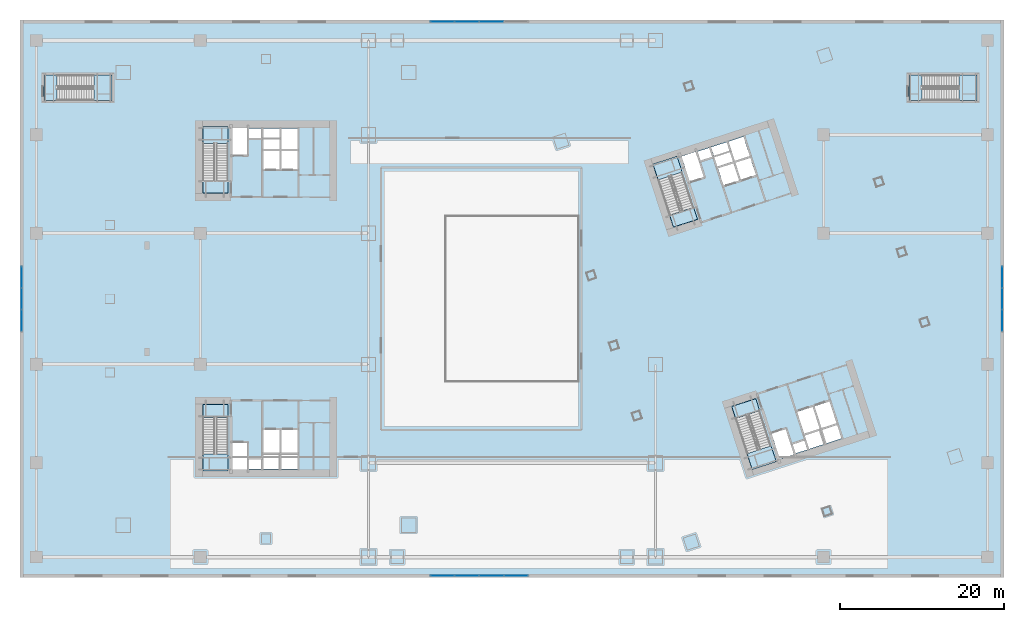
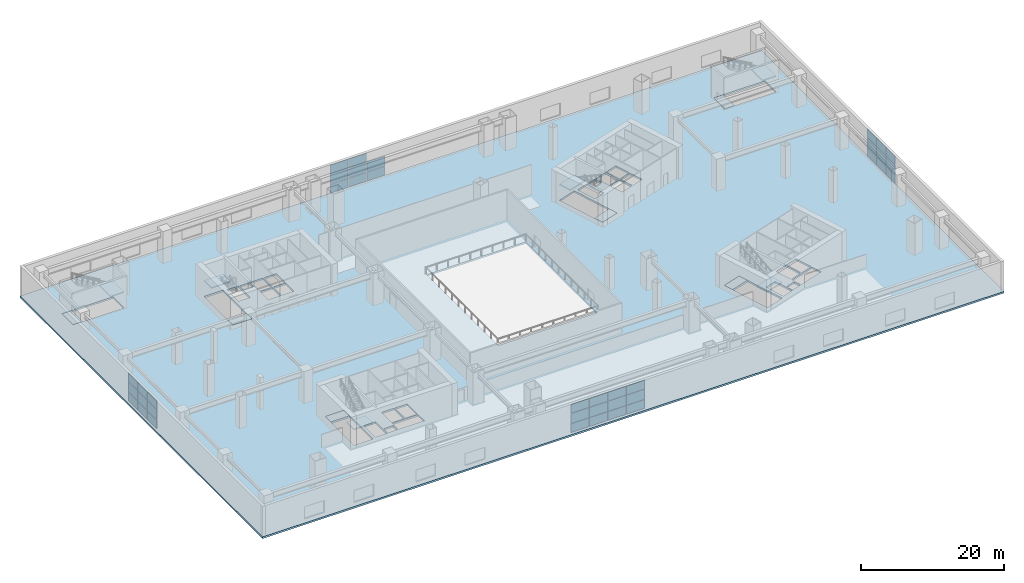
# One storey, part 21 of 35: 38 plates, 13 slabs, 10 elements without a shape of their own.
"""IFC4 building model written with IfcOpenShell, lengths in metres."""

from ifc_helpers import new_model, si_unit, direction, frame, origin, origin_2d, place, context, subcontext, project, spatial, polyline, rectangle, outline, extrude, material, layer, layer_set, type_object, element, aggregate, save


model = new_model("IFC4")

# Units and contexts
model_context = context("Model", 3, precision=1e-05, world=origin(), true_north=direction((0.0, 1.0)))
body_context = subcontext(model_context, "Body", "Model", "MODEL_VIEW")
ifc_project = project(units=[si_unit("LENGTHUNIT", "METRE"), si_unit("AREAUNIT", "SQUARE_METRE"), si_unit("VOLUMEUNIT", "CUBIC_METRE"), si_unit("PLANEANGLEUNIT", "RADIAN"), si_unit("MASSUNIT", "GRAM", prefix="KILO")], contexts=[model_context])

# Site, building, storey
site_placement = place(None, origin())
site = spatial("IfcSite", under=ifc_project, at=site_placement, CompositionType="ELEMENT")
building_placement = place(site_placement, origin())
building = spatial("IfcBuilding", under=site, at=building_placement, Name="Qiaolan Cultural Towers", CompositionType="ELEMENT")
storey_placement = place(building_placement, frame((0.0, 0.0, 6.0)))
storey = spatial("IfcBuildingStorey", under=building, at=storey_placement, Name="L01", CompositionType="ELEMENT", Elevation=6.0)

# Curtain wall, plates
ifc_material_1 = material(Name="Unitized Anodized Aluminium Curtain Wall System", Category="aluminium")
ifc_layer_1 = layer(ifc_material_1, 0.199951171875)
ifc_layer_set_1 = layer_set([ifc_layer_1], Name="Unitized Anodized Aluminium Curtain Wall System")
curtain_wall_type_1 = type_object("IfcCurtainWallType", Name="CWS-01", PredefinedType="NOTDEFINED", material=ifc_layer_set_1)
curtain_wall_1_placement = place(storey_placement, origin())
curtain_wall_1 = element("IfcCurtainWall", 1, at=curtain_wall_1_placement, inside=storey, type_object=curtain_wall_type_1, Name="L01 South Atrium Curtain Wall", PredefinedType="NOTDEFINED")
ifc_material_2 = material(Name="Laminated Low-E Insulating Glass Unit", Category="glass")
ifc_layer_2 = layer(ifc_material_2, 0.035888671875)
ifc_layer_set_2 = layer_set([ifc_layer_2], Name="Laminated Low-E Insulating Glass Unit")
plate_type_1 = type_object("IfcPlateType", Name="CWS-01-PNL", PredefinedType="CURTAIN_PANEL", material=ifc_layer_set_2)
plate_1_placement = place(storey_placement, frame((51.518798828125, 0.219970703125, 0.21484375), z_axis=(0.0, 0.0, 1.0), x_axis=(1.0, 0.0, 0.0)))
plate_1 = element("IfcPlate", 2, at=plate_1_placement, type_object=plate_type_1, Name="CW-1 panel 1.1", PredefinedType="CURTAIN_PANEL", context=body_context, shape_type="SweptSolid", body=[
    extrude(rectangle(XDim=2.887451171875, YDim=0.035888671875, at=origin_2d()), origin(), (0.0, 0.0, 1.0), 1.472412109375),
])
plate_2_placement = place(storey_placement, frame((51.518798828125, 0.219970703125, 1.75244140625), z_axis=(0.0, 0.0, 1.0), x_axis=(1.0, 0.0, 0.0)))
plate_2 = element("IfcPlate", 3, at=plate_2_placement, type_object=plate_type_1, Name="CW-1 panel 1.2", PredefinedType="CURTAIN_PANEL", context=body_context, shape_type="SweptSolid", body=[
    extrude(rectangle(XDim=2.887451171875, YDim=0.035888671875, at=origin_2d()), origin(), (0.0, 0.0, 1.0), 1.695068359375),
])
plate_3_placement = place(storey_placement, frame((51.518798828125, 0.219970703125, 3.5126953125), z_axis=(0.0, 0.0, 1.0), x_axis=(1.0, 0.0, 0.0)))
plate_3 = element("IfcPlate", 4, at=plate_3_placement, type_object=plate_type_1, Name="CW-1 panel 1.3", PredefinedType="CURTAIN_PANEL", context=body_context, shape_type="SweptSolid", body=[
    extrude(rectangle(XDim=2.887451171875, YDim=0.035888671875, at=origin_2d()), origin(), (0.0, 0.0, 1.0), 1.472412109375),
])
plate_4_placement = place(storey_placement, frame((54.5, 0.219970703125, 0.21484375), z_axis=(0.0, 0.0, 1.0), x_axis=(1.0, 0.0, 0.0)))
plate_4 = element("IfcPlate", 5, at=plate_4_placement, type_object=plate_type_1, Name="CW-1 panel 2.1", PredefinedType="CURTAIN_PANEL", context=body_context, shape_type="SweptSolid", body=[
    extrude(rectangle(XDim=2.925048828125, YDim=0.035888671875, at=origin_2d()), origin(), (0.0, 0.0, 1.0), 1.472412109375),
])
plate_5_placement = place(storey_placement, frame((54.5, 0.219970703125, 1.75244140625), z_axis=(0.0, 0.0, 1.0), x_axis=(1.0, 0.0, 0.0)))
plate_5 = element("IfcPlate", 6, at=plate_5_placement, type_object=plate_type_1, Name="CW-1 panel 2.2", PredefinedType="CURTAIN_PANEL", context=body_context, shape_type="SweptSolid", body=[
    extrude(rectangle(XDim=2.925048828125, YDim=0.035888671875, at=origin_2d()), origin(), (0.0, 0.0, 1.0), 1.695068359375),
])
plate_6_placement = place(storey_placement, frame((54.5, 0.219970703125, 3.5126953125), z_axis=(0.0, 0.0, 1.0), x_axis=(1.0, 0.0, 0.0)))
plate_6 = element("IfcPlate", 7, at=plate_6_placement, type_object=plate_type_1, Name="CW-1 panel 2.3", PredefinedType="CURTAIN_PANEL", context=body_context, shape_type="SweptSolid", body=[
    extrude(rectangle(XDim=2.925048828125, YDim=0.035888671875, at=origin_2d()), origin(), (0.0, 0.0, 1.0), 1.472412109375),
])
plate_7_placement = place(storey_placement, frame((57.5, 0.219970703125, 0.21484375), z_axis=(0.0, 0.0, 1.0), x_axis=(1.0, 0.0, 0.0)))
plate_7 = element("IfcPlate", 8, at=plate_7_placement, type_object=plate_type_1, Name="CW-1 panel 3.1", PredefinedType="CURTAIN_PANEL", context=body_context, shape_type="SweptSolid", body=[
    extrude(rectangle(XDim=2.925048828125, YDim=0.035888671875, at=origin_2d()), origin(), (0.0, 0.0, 1.0), 1.472412109375),
])
plate_8_placement = place(storey_placement, frame((57.5, 0.219970703125, 1.75244140625), z_axis=(0.0, 0.0, 1.0), x_axis=(1.0, 0.0, 0.0)))
plate_8 = element("IfcPlate", 9, at=plate_8_placement, type_object=plate_type_1, Name="CW-1 panel 3.2", PredefinedType="CURTAIN_PANEL", context=body_context, shape_type="SweptSolid", body=[
    extrude(rectangle(XDim=2.925048828125, YDim=0.035888671875, at=origin_2d()), origin(), (0.0, 0.0, 1.0), 1.695068359375),
])
plate_9_placement = place(storey_placement, frame((57.5, 0.219970703125, 3.5126953125), z_axis=(0.0, 0.0, 1.0), x_axis=(1.0, 0.0, 0.0)))
plate_9 = element("IfcPlate", 10, at=plate_9_placement, type_object=plate_type_1, Name="CW-1 panel 3.3", PredefinedType="CURTAIN_PANEL", context=body_context, shape_type="SweptSolid", body=[
    extrude(rectangle(XDim=2.925048828125, YDim=0.035888671875, at=origin_2d()), origin(), (0.0, 0.0, 1.0), 1.472412109375),
])
plate_10_placement = place(storey_placement, frame((60.481201171875, 0.219970703125, 0.21484375), z_axis=(0.0, 0.0, 1.0), x_axis=(1.0, 0.0, 0.0)))
plate_10 = element("IfcPlate", 11, at=plate_10_placement, type_object=plate_type_1, Name="CW-1 panel 4.1", PredefinedType="CURTAIN_PANEL", context=body_context, shape_type="SweptSolid", body=[
    extrude(rectangle(XDim=2.887451171875, YDim=0.035888671875, at=origin_2d()), origin(), (0.0, 0.0, 1.0), 1.472412109375),
])
plate_11_placement = place(storey_placement, frame((60.481201171875, 0.219970703125, 1.75244140625), z_axis=(0.0, 0.0, 1.0), x_axis=(1.0, 0.0, 0.0)))
plate_11 = element("IfcPlate", 12, at=plate_11_placement, type_object=plate_type_1, Name="CW-1 panel 4.2", PredefinedType="CURTAIN_PANEL", context=body_context, shape_type="SweptSolid", body=[
    extrude(rectangle(XDim=2.887451171875, YDim=0.035888671875, at=origin_2d()), origin(), (0.0, 0.0, 1.0), 1.695068359375),
])
plate_12_placement = place(storey_placement, frame((60.481201171875, 0.219970703125, 3.5126953125), z_axis=(0.0, 0.0, 1.0), x_axis=(1.0, 0.0, 0.0)))
plate_12 = element("IfcPlate", 13, at=plate_12_placement, type_object=plate_type_1, Name="CW-1 panel 4.3", PredefinedType="CURTAIN_PANEL", context=body_context, shape_type="SweptSolid", body=[
    extrude(rectangle(XDim=2.887451171875, YDim=0.035888671875, at=origin_2d()), origin(), (0.0, 0.0, 1.0), 1.472412109375),
])
aggregate(curtain_wall_1, [plate_1, plate_2, plate_3, plate_4, plate_5, plate_6, plate_7, plate_8, plate_9, plate_10, plate_11, plate_12])

curtain_wall_2_placement = place(storey_placement, origin())
curtain_wall_2 = element("IfcCurtainWall", 14, at=curtain_wall_2_placement, inside=storey, type_object=curtain_wall_type_1, Name="L01 North Atrium Curtain Wall", PredefinedType="NOTDEFINED")
plate_13_placement = place(storey_placement, frame((51.518798828125, 67.780029296875, 0.21484375), z_axis=(0.0, 0.0, 1.0), x_axis=(1.0, 0.0, 0.0)))
plate_13 = element("IfcPlate", 15, at=plate_13_placement, type_object=plate_type_1, Name="CW-1 panel 1.1", PredefinedType="CURTAIN_PANEL", context=body_context, shape_type="SweptSolid", body=[
    extrude(rectangle(XDim=2.887451171875, YDim=0.035888671875, at=origin_2d()), origin(), (0.0, 0.0, 1.0), 1.472412109375),
])
plate_14_placement = place(storey_placement, frame((51.518798828125, 67.780029296875, 1.75244140625), z_axis=(0.0, 0.0, 1.0), x_axis=(1.0, 0.0, 0.0)))
plate_14 = element("IfcPlate", 16, at=plate_14_placement, type_object=plate_type_1, Name="CW-1 panel 1.2", PredefinedType="CURTAIN_PANEL", context=body_context, shape_type="SweptSolid", body=[
    extrude(rectangle(XDim=2.887451171875, YDim=0.035888671875, at=origin_2d()), origin(), (0.0, 0.0, 1.0), 1.695068359375),
])
plate_15_placement = place(storey_placement, frame((51.518798828125, 67.780029296875, 3.5126953125), z_axis=(0.0, 0.0, 1.0), x_axis=(1.0, 0.0, 0.0)))
plate_15 = element("IfcPlate", 17, at=plate_15_placement, type_object=plate_type_1, Name="CW-1 panel 1.3", PredefinedType="CURTAIN_PANEL", context=body_context, shape_type="SweptSolid", body=[
    extrude(rectangle(XDim=2.887451171875, YDim=0.035888671875, at=origin_2d()), origin(), (0.0, 0.0, 1.0), 1.472412109375),
])
plate_16_placement = place(storey_placement, frame((54.5, 67.780029296875, 0.21484375), z_axis=(0.0, 0.0, 1.0), x_axis=(1.0, 0.0, 0.0)))
plate_16 = element("IfcPlate", 18, at=plate_16_placement, type_object=plate_type_1, Name="CW-1 panel 2.1", PredefinedType="CURTAIN_PANEL", context=body_context, shape_type="SweptSolid", body=[
    extrude(rectangle(XDim=2.925048828125, YDim=0.035888671875, at=origin_2d()), origin(), (0.0, 0.0, 1.0), 1.472412109375),
])
plate_17_placement = place(storey_placement, frame((54.5, 67.780029296875, 1.75244140625), z_axis=(0.0, 0.0, 1.0), x_axis=(1.0, 0.0, 0.0)))
plate_17 = element("IfcPlate", 19, at=plate_17_placement, type_object=plate_type_1, Name="CW-1 panel 2.2", PredefinedType="CURTAIN_PANEL", context=body_context, shape_type="SweptSolid", body=[
    extrude(rectangle(XDim=2.925048828125, YDim=0.035888671875, at=origin_2d()), origin(), (0.0, 0.0, 1.0), 1.695068359375),
])
plate_18_placement = place(storey_placement, frame((54.5, 67.780029296875, 3.5126953125), z_axis=(0.0, 0.0, 1.0), x_axis=(1.0, 0.0, 0.0)))
plate_18 = element("IfcPlate", 20, at=plate_18_placement, type_object=plate_type_1, Name="CW-1 panel 2.3", PredefinedType="CURTAIN_PANEL", context=body_context, shape_type="SweptSolid", body=[
    extrude(rectangle(XDim=2.925048828125, YDim=0.035888671875, at=origin_2d()), origin(), (0.0, 0.0, 1.0), 1.472412109375),
])
plate_19_placement = place(storey_placement, frame((57.5, 67.780029296875, 0.21484375), z_axis=(0.0, 0.0, 1.0), x_axis=(1.0, 0.0, 0.0)))
plate_19 = element("IfcPlate", 21, at=plate_19_placement, type_object=plate_type_1, Name="CW-1 panel 3.1", PredefinedType="CURTAIN_PANEL", context=body_context, shape_type="SweptSolid", body=[
    extrude(rectangle(XDim=2.925048828125, YDim=0.035888671875, at=origin_2d()), origin(), (0.0, 0.0, 1.0), 1.472412109375),
])
plate_20_placement = place(storey_placement, frame((57.5, 67.780029296875, 1.75244140625), z_axis=(0.0, 0.0, 1.0), x_axis=(1.0, 0.0, 0.0)))
plate_20 = element("IfcPlate", 22, at=plate_20_placement, type_object=plate_type_1, Name="CW-1 panel 3.2", PredefinedType="CURTAIN_PANEL", context=body_context, shape_type="SweptSolid", body=[
    extrude(rectangle(XDim=2.925048828125, YDim=0.035888671875, at=origin_2d()), origin(), (0.0, 0.0, 1.0), 1.695068359375),
])
aggregate(curtain_wall_2, [plate_13, plate_14, plate_15, plate_16, plate_17, plate_18, plate_19, plate_20])

ifc_material_3 = material(Name="Unitized Anodized Aluminium Curtain Wall System", Category="aluminium")
ifc_layer_3 = layer(ifc_material_3, 0.199951171875)
ifc_layer_set_3 = layer_set([ifc_layer_3], Name="Unitized Anodized Aluminium Curtain Wall System")
curtain_wall_type_2 = type_object("IfcCurtainWallType", Name="CWS-04", PredefinedType="NOTDEFINED", material=ifc_layer_set_3)
curtain_wall_3_placement = place(storey_placement, origin())
curtain_wall_3 = element("IfcCurtainWall", 23, at=curtain_wall_3_placement, inside=storey, type_object=curtain_wall_type_2, Name="L01 West Exhibition Foyer Curtain Wall", PredefinedType="NOTDEFINED")
ifc_material_4 = material(Name="Laminated Low-E Insulating Glass Unit", Category="glass")
ifc_layer_4 = layer(ifc_material_4, 0.035888671875)
ifc_layer_set_4 = layer_set([ifc_layer_4], Name="Laminated Low-E Insulating Glass Unit")
plate_type_2 = type_object("IfcPlateType", Name="CWS-04-PNL", PredefinedType="CURTAIN_PANEL", material=ifc_layer_set_4)
plate_21_placement = place(storey_placement, frame((0.219970703125, 31.35205078125, 0.21484375), z_axis=(0.0, 0.0, 1.0), x_axis=(0.0, 1.0, 0.0)))
plate_21 = element("IfcPlate", 24, at=plate_21_placement, type_object=plate_type_2, Name="CW-4 panel 1.1", PredefinedType="CURTAIN_PANEL", context=body_context, shape_type="SweptSolid", body=[
    extrude(rectangle(XDim=2.55419921875, YDim=0.035888671875, at=origin_2d()), origin(), (0.0, 0.0, 1.0), 1.472412109375),
])
plate_22_placement = place(storey_placement, frame((0.219970703125, 31.35205078125, 1.75244140625), z_axis=(0.0, 0.0, 1.0), x_axis=(0.0, 1.0, 0.0)))
plate_22 = element("IfcPlate", 25, at=plate_22_placement, type_object=plate_type_2, Name="CW-4 panel 1.2", PredefinedType="CURTAIN_PANEL", context=body_context, shape_type="SweptSolid", body=[
    extrude(rectangle(XDim=2.55419921875, YDim=0.035888671875, at=origin_2d()), origin(), (0.0, 0.0, 1.0), 1.695068359375),
])
plate_23_placement = place(storey_placement, frame((0.219970703125, 31.35205078125, 3.5126953125), z_axis=(0.0, 0.0, 1.0), x_axis=(0.0, 1.0, 0.0)))
plate_23 = element("IfcPlate", 26, at=plate_23_placement, type_object=plate_type_2, Name="CW-4 panel 1.3", PredefinedType="CURTAIN_PANEL", context=body_context, shape_type="SweptSolid", body=[
    extrude(rectangle(XDim=2.55419921875, YDim=0.035888671875, at=origin_2d()), origin(), (0.0, 0.0, 1.0), 1.472412109375),
])
plate_24_placement = place(storey_placement, frame((0.219970703125, 34.0, 0.21484375), z_axis=(0.0, 0.0, 1.0), x_axis=(0.0, 1.0, 0.0)))
plate_24 = element("IfcPlate", 27, at=plate_24_placement, type_object=plate_type_2, Name="CW-4 panel 2.1", PredefinedType="CURTAIN_PANEL", context=body_context, shape_type="SweptSolid", body=[
    extrude(rectangle(XDim=2.591552734375, YDim=0.035888671875, at=origin_2d()), origin(), (0.0, 0.0, 1.0), 1.472412109375),
])
plate_25_placement = place(storey_placement, frame((0.219970703125, 34.0, 1.75244140625), z_axis=(0.0, 0.0, 1.0), x_axis=(0.0, 1.0, 0.0)))
plate_25 = element("IfcPlate", 28, at=plate_25_placement, type_object=plate_type_2, Name="CW-4 panel 2.2", PredefinedType="CURTAIN_PANEL", context=body_context, shape_type="SweptSolid", body=[
    extrude(rectangle(XDim=2.591552734375, YDim=0.035888671875, at=origin_2d()), origin(), (0.0, 0.0, 1.0), 1.695068359375),
])
plate_26_placement = place(storey_placement, frame((0.219970703125, 34.0, 3.5126953125), z_axis=(0.0, 0.0, 1.0), x_axis=(0.0, 1.0, 0.0)))
plate_26 = element("IfcPlate", 29, at=plate_26_placement, type_object=plate_type_2, Name="CW-4 panel 2.3", PredefinedType="CURTAIN_PANEL", context=body_context, shape_type="SweptSolid", body=[
    extrude(rectangle(XDim=2.591552734375, YDim=0.035888671875, at=origin_2d()), origin(), (0.0, 0.0, 1.0), 1.472412109375),
])
plate_27_placement = place(storey_placement, frame((0.219970703125, 36.64794921875, 0.21484375), z_axis=(0.0, 0.0, 1.0), x_axis=(0.0, 1.0, 0.0)))
plate_27 = element("IfcPlate", 30, at=plate_27_placement, type_object=plate_type_2, Name="CW-4 panel 3.1", PredefinedType="CURTAIN_PANEL", context=body_context, shape_type="SweptSolid", body=[
    extrude(rectangle(XDim=2.55419921875, YDim=0.035888671875, at=origin_2d()), origin(), (0.0, 0.0, 1.0), 1.472412109375),
])
plate_28_placement = place(storey_placement, frame((0.219970703125, 36.64794921875, 1.75244140625), z_axis=(0.0, 0.0, 1.0), x_axis=(0.0, 1.0, 0.0)))
plate_28 = element("IfcPlate", 31, at=plate_28_placement, type_object=plate_type_2, Name="CW-4 panel 3.2", PredefinedType="CURTAIN_PANEL", context=body_context, shape_type="SweptSolid", body=[
    extrude(rectangle(XDim=2.55419921875, YDim=0.035888671875, at=origin_2d()), origin(), (0.0, 0.0, 1.0), 1.695068359375),
])
plate_29_placement = place(storey_placement, frame((0.219970703125, 36.64794921875, 3.5126953125), z_axis=(0.0, 0.0, 1.0), x_axis=(0.0, 1.0, 0.0)))
plate_29 = element("IfcPlate", 32, at=plate_29_placement, type_object=plate_type_2, Name="CW-4 panel 3.3", PredefinedType="CURTAIN_PANEL", context=body_context, shape_type="SweptSolid", body=[
    extrude(rectangle(XDim=2.55419921875, YDim=0.035888671875, at=origin_2d()), origin(), (0.0, 0.0, 1.0), 1.472412109375),
])
aggregate(curtain_wall_3, [plate_21, plate_22, plate_23, plate_24, plate_25, plate_26, plate_27, plate_28, plate_29])

curtain_wall_4_placement = place(storey_placement, origin())
curtain_wall_4 = element("IfcCurtainWall", 33, at=curtain_wall_4_placement, inside=storey, type_object=curtain_wall_type_2, Name="L01 East Exhibition Foyer Curtain Wall", PredefinedType="NOTDEFINED")
plate_30_placement = place(storey_placement, frame((119.780029296875, 31.35205078125, 0.21484375), z_axis=(0.0, 0.0, 1.0), x_axis=(0.0, 1.0, 0.0)))
plate_30 = element("IfcPlate", 34, at=plate_30_placement, type_object=plate_type_2, Name="CW-4 panel 1.1", PredefinedType="CURTAIN_PANEL", context=body_context, shape_type="SweptSolid", body=[
    extrude(rectangle(XDim=2.55419921875, YDim=0.035888671875, at=origin_2d()), origin(), (0.0, 0.0, 1.0), 1.472412109375),
])
plate_31_placement = place(storey_placement, frame((119.780029296875, 31.35205078125, 1.75244140625), z_axis=(0.0, 0.0, 1.0), x_axis=(0.0, 1.0, 0.0)))
plate_31 = element("IfcPlate", 35, at=plate_31_placement, type_object=plate_type_2, Name="CW-4 panel 1.2", PredefinedType="CURTAIN_PANEL", context=body_context, shape_type="SweptSolid", body=[
    extrude(rectangle(XDim=2.55419921875, YDim=0.035888671875, at=origin_2d()), origin(), (0.0, 0.0, 1.0), 1.695068359375),
])
plate_32_placement = place(storey_placement, frame((119.780029296875, 31.35205078125, 3.5126953125), z_axis=(0.0, 0.0, 1.0), x_axis=(0.0, 1.0, 0.0)))
plate_32 = element("IfcPlate", 36, at=plate_32_placement, type_object=plate_type_2, Name="CW-4 panel 1.3", PredefinedType="CURTAIN_PANEL", context=body_context, shape_type="SweptSolid", body=[
    extrude(rectangle(XDim=2.55419921875, YDim=0.035888671875, at=origin_2d()), origin(), (0.0, 0.0, 1.0), 1.472412109375),
])
plate_33_placement = place(storey_placement, frame((119.780029296875, 34.0, 0.21484375), z_axis=(0.0, 0.0, 1.0), x_axis=(0.0, 1.0, 0.0)))
plate_33 = element("IfcPlate", 37, at=plate_33_placement, type_object=plate_type_2, Name="CW-4 panel 2.1", PredefinedType="CURTAIN_PANEL", context=body_context, shape_type="SweptSolid", body=[
    extrude(rectangle(XDim=2.591552734375, YDim=0.035888671875, at=origin_2d()), origin(), (0.0, 0.0, 1.0), 1.472412109375),
])
plate_34_placement = place(storey_placement, frame((119.780029296875, 34.0, 1.75244140625), z_axis=(0.0, 0.0, 1.0), x_axis=(0.0, 1.0, 0.0)))
plate_34 = element("IfcPlate", 38, at=plate_34_placement, type_object=plate_type_2, Name="CW-4 panel 2.2", PredefinedType="CURTAIN_PANEL", context=body_context, shape_type="SweptSolid", body=[
    extrude(rectangle(XDim=2.591552734375, YDim=0.035888671875, at=origin_2d()), origin(), (0.0, 0.0, 1.0), 1.695068359375),
])
plate_35_placement = place(storey_placement, frame((119.780029296875, 34.0, 3.5126953125), z_axis=(0.0, 0.0, 1.0), x_axis=(0.0, 1.0, 0.0)))
plate_35 = element("IfcPlate", 39, at=plate_35_placement, type_object=plate_type_2, Name="CW-4 panel 2.3", PredefinedType="CURTAIN_PANEL", context=body_context, shape_type="SweptSolid", body=[
    extrude(rectangle(XDim=2.591552734375, YDim=0.035888671875, at=origin_2d()), origin(), (0.0, 0.0, 1.0), 1.472412109375),
])
plate_36_placement = place(storey_placement, frame((119.780029296875, 36.64794921875, 0.21484375), z_axis=(0.0, 0.0, 1.0), x_axis=(0.0, 1.0, 0.0)))
plate_36 = element("IfcPlate", 40, at=plate_36_placement, type_object=plate_type_2, Name="CW-4 panel 3.1", PredefinedType="CURTAIN_PANEL", context=body_context, shape_type="SweptSolid", body=[
    extrude(rectangle(XDim=2.55419921875, YDim=0.035888671875, at=origin_2d()), origin(), (0.0, 0.0, 1.0), 1.472412109375),
])
plate_37_placement = place(storey_placement, frame((119.780029296875, 36.64794921875, 1.75244140625), z_axis=(0.0, 0.0, 1.0), x_axis=(0.0, 1.0, 0.0)))
plate_37 = element("IfcPlate", 41, at=plate_37_placement, type_object=plate_type_2, Name="CW-4 panel 3.2", PredefinedType="CURTAIN_PANEL", context=body_context, shape_type="SweptSolid", body=[
    extrude(rectangle(XDim=2.55419921875, YDim=0.035888671875, at=origin_2d()), origin(), (0.0, 0.0, 1.0), 1.695068359375),
])
plate_38_placement = place(storey_placement, frame((119.780029296875, 36.64794921875, 3.5126953125), z_axis=(0.0, 0.0, 1.0), x_axis=(0.0, 1.0, 0.0)))
plate_38 = element("IfcPlate", 42, at=plate_38_placement, type_object=plate_type_2, Name="CW-4 panel 3.3", PredefinedType="CURTAIN_PANEL", context=body_context, shape_type="SweptSolid", body=[
    extrude(rectangle(XDim=2.55419921875, YDim=0.035888671875, at=origin_2d()), origin(), (0.0, 0.0, 1.0), 1.472412109375),
])
aggregate(curtain_wall_4, [plate_30, plate_31, plate_32, plate_33, plate_34, plate_35, plate_36, plate_37, plate_38])

# Slab
ifc_material_5 = material(Name="Concrete C50", Category="concrete")
ifc_layer_5 = layer(ifc_material_5, 0.300048828125)
ifc_layer_set_5 = layer_set([ifc_layer_5], Name="Concrete C50")
slab_type_1 = type_object("IfcSlabType", Name="SL-POD-300", PredefinedType="FLOOR", material=ifc_layer_set_5)
slab_1_placement = place(storey_placement, frame((0.0, 0.0, -0.300048828125)))
element("IfcSlab", 43, at=slab_1_placement, inside=storey, type_object=slab_type_1, Name="L01 Structural Floor Slab", PredefinedType="FLOOR", context=body_context, shape_type="SweptSolid", body=[
    extrude(outline(polyline([(0.0, 0.0), (120.0, 0.0), (120.0, 68.0), (0.0, 68.0), (0.0, 0.0)]), holes=[polyline([(22.300048828125, 21.10009765625), (22.300048828125, 13.0), (25.3798828125, 13.0), (25.3798828125, 21.10009765625), (22.300048828125, 21.10009765625)]), polyline([(25.3798828125, 46.89990234375), (25.3798828125, 55.0), (22.300048828125, 55.0), (22.300048828125, 46.89990234375), (25.3798828125, 46.89990234375)]), polyline([(86.80126953125, 20.868896484375), (89.30419921875, 13.165283203125), (92.2333984375, 14.116943359375), (89.73046875, 21.820556640625), (86.80126953125, 20.868896484375)]), polyline([(82.623046875, 43.69482421875), (80.1201171875, 51.3984375), (77.190673828125, 50.44677734375), (79.69384765625, 42.7431640625), (82.623046875, 43.69482421875)]), polyline([(2.89990234375, 58.199951171875), (11.199951171875, 58.199951171875), (11.199951171875, 61.300048828125), (2.89990234375, 61.300048828125), (2.89990234375, 58.199951171875)]), polyline([(108.39990234375, 58.199951171875), (116.699951171875, 58.199951171875), (116.699951171875, 61.300048828125), (108.39990234375, 61.300048828125), (108.39990234375, 58.199951171875)]), polyline([(25.89990234375, 13.199951171875), (27.75, 13.199951171875), (27.75, 16.449951171875), (25.89990234375, 16.449951171875), (25.89990234375, 13.199951171875)]), polyline([(27.93994140625, 13.25), (29.449951171875, 13.25), (29.449951171875, 14.419921875), (27.93994140625, 14.419921875), (27.93994140625, 13.25)]), polyline([(29.679931640625, 15.199951171875), (31.679931640625, 15.199951171875), (31.679931640625, 18.0), (29.679931640625, 18.0), (29.679931640625, 15.199951171875)]), polyline([(31.8798828125, 15.199951171875), (33.820068359375, 15.199951171875), (33.820068359375, 18.0), (31.8798828125, 18.0), (31.8798828125, 15.199951171875)]), polyline([(29.679931640625, 13.25), (33.820068359375, 13.25), (33.820068359375, 14.97998046875), (29.679931640625, 14.97998046875), (29.679931640625, 13.25)]), polyline([(25.89990234375, 51.550048828125), (27.75, 51.550048828125), (27.75, 54.800048828125), (25.89990234375, 54.800048828125), (25.89990234375, 51.550048828125)]), polyline([(27.93994140625, 53.580078125), (29.449951171875, 53.580078125), (29.449951171875, 54.75), (27.93994140625, 54.75), (27.93994140625, 53.580078125)]), polyline([(29.679931640625, 49.820068359375), (31.679931640625, 49.820068359375), (31.679931640625, 52.080078125), (29.679931640625, 52.080078125), (29.679931640625, 49.820068359375)]), polyline([(31.8798828125, 49.820068359375), (33.820068359375, 49.820068359375), (33.820068359375, 52.080078125), (31.8798828125, 52.080078125), (31.8798828125, 49.820068359375)]), polyline([(29.679931640625, 52.27001953125), (31.659912109375, 52.27001953125), (31.659912109375, 54.75), (29.679931640625, 54.75), (29.679931640625, 52.27001953125)]), polyline([(31.8798828125, 52.27001953125), (33.820068359375, 52.27001953125), (33.820068359375, 54.75), (31.8798828125, 54.75), (31.8798828125, 52.27001953125)]), polyline([(92.666259765625, 14.468017578125), (94.42578125, 15.03955078125), (93.42138671875, 18.130615234375), (91.661865234375, 17.558837890625), (92.666259765625, 14.468017578125)]), polyline([(94.5908203125, 15.14599609375), (96.027099609375, 15.612548828125), (95.66552734375, 16.725341796875), (94.2294921875, 16.258544921875), (94.5908203125, 15.14599609375)]), polyline([(95.643310546875, 17.5380859375), (97.54541015625, 18.15625), (96.68017578125, 20.819091796875), (94.77783203125, 20.201171875), (95.643310546875, 17.5380859375)]), polyline([(97.735595703125, 18.218017578125), (99.58056640625, 18.8173828125), (98.71533203125, 21.48046875), (96.870361328125, 20.880859375), (97.735595703125, 18.218017578125)]), polyline([(96.245849609375, 15.68359375), (100.18310546875, 16.962890625), (99.6484375, 18.608154296875), (95.711181640625, 17.328857421875), (96.245849609375, 15.68359375)]), polyline([(81.6806640625, 48.278076171875), (83.440185546875, 48.849609375), (82.435791015625, 51.940673828125), (80.67626953125, 51.368896484375), (81.6806640625, 48.278076171875)]), polyline([(82.993408203125, 50.839111328125), (84.4296875, 51.3056640625), (84.068115234375, 52.41845703125), (82.632080078125, 51.95166015625), (82.993408203125, 50.839111328125)]), polyline([(85.810302734375, 47.80078125), (87.71240234375, 48.418701171875), (87.013916015625, 50.568115234375), (85.11181640625, 49.9501953125), (85.810302734375, 47.80078125)]), polyline([(87.902587890625, 48.480712890625), (89.74755859375, 49.080078125), (89.04931640625, 51.2294921875), (87.2041015625, 50.6298828125), (87.902587890625, 48.480712890625)]), polyline([(85.05322265625, 50.130859375), (86.936279296875, 50.74267578125), (86.169921875, 53.101318359375), (84.286865234375, 52.489501953125), (85.05322265625, 50.130859375)]), polyline([(87.1455078125, 50.810791015625), (88.990478515625, 51.41015625), (88.22412109375, 53.768798828125), (86.379150390625, 53.169189453125), (87.1455078125, 50.810791015625)]), polyline([(52.0, 24.0), (68.0, 24.0), (68.0, 44.0), (52.0, 44.0), (52.0, 24.0)])]), origin(), (0.0, 0.0, 1.0), 0.300048828125),
])

# Stair, slab
ifc_material_6 = material(Name="Concrete C45", Category="concrete")
stair_type_1 = type_object("IfcStairType", Name="STR-CORE-1500", PredefinedType="HALF_TURN_STAIR", material=ifc_material_6)
stair_1_placement = place(storey_placement, origin())
stair_1 = element("IfcStair", 44, at=stair_1_placement, inside=storey, type_object=stair_type_1, Name="L01 Smokeproof Exit Stair ST-W1", PredefinedType="HALF_TURN_STAIR")
ifc_material_7 = material(Name="Concrete C45", Category="concrete")
ifc_layer_6 = layer(ifc_material_7, 0.199951171875)
ifc_layer_set_6 = layer_set([ifc_layer_6], Name="Concrete C45")
slab_type_2 = type_object("IfcSlabType", Name="SL-STAIR-LAND", PredefinedType="LANDING", material=ifc_layer_set_6)
slab_2_placement = place(storey_placement, frame((0.0, 0.0, 2.550048828125)))
slab_2 = element("IfcSlab", 45, at=slab_2_placement, type_object=slab_type_2, Name="ST-W1 landing 1", PredefinedType="LANDING", context=body_context, shape_type="SweptSolid", body=[
    extrude(outline(polyline([(22.300048828125, 15.05126953125), (22.300048828125, 13.0), (25.3798828125, 13.0), (25.3798828125, 15.05126953125), (22.300048828125, 15.05126953125)])), origin(), (0.0, 0.0, 1.0), 0.199951171875),
])
aggregate(stair_1, [slab_2])

stair_2_placement = place(storey_placement, origin())
stair_2 = element("IfcStair", 46, at=stair_2_placement, inside=storey, type_object=stair_type_1, Name="L01 Smokeproof Exit Stair ST-W2", PredefinedType="HALF_TURN_STAIR")
slab_3_placement = place(storey_placement, frame((0.0, 0.0, 2.550048828125)))
slab_3 = element("IfcSlab", 47, at=slab_3_placement, type_object=slab_type_2, Name="ST-W2 landing 1", PredefinedType="LANDING", context=body_context, shape_type="SweptSolid", body=[
    extrude(outline(polyline([(25.3798828125, 52.94873046875), (25.3798828125, 55.0), (22.300048828125, 55.0), (22.300048828125, 52.94873046875), (25.3798828125, 52.94873046875)])), origin(), (0.0, 0.0, 1.0), 0.199951171875),
])
aggregate(stair_2, [slab_3])

stair_3_placement = place(storey_placement, origin())
stair_3 = element("IfcStair", 48, at=stair_3_placement, inside=storey, type_object=stair_type_1, Name="L01 Smokeproof Exit Stair ST-E1", PredefinedType="HALF_TURN_STAIR")
slab_4_placement = place(storey_placement, frame((0.0, 0.0, 2.550048828125)))
slab_4 = element("IfcSlab", 49, at=slab_4_placement, type_object=slab_type_2, Name="ST-E1 landing 1", PredefinedType="LANDING", context=body_context, shape_type="SweptSolid", body=[
    extrude(outline(polyline([(88.67041015625, 15.1162109375), (89.30419921875, 13.165283203125), (92.2333984375, 14.116943359375), (91.599609375, 16.06787109375), (88.67041015625, 15.1162109375)])), origin(), (0.0, 0.0, 1.0), 0.199951171875),
])
aggregate(stair_3, [slab_4])

stair_4_placement = place(storey_placement, origin())
stair_4 = element("IfcStair", 50, at=stair_4_placement, inside=storey, type_object=stair_type_1, Name="L01 Smokeproof Exit Stair ST-E2", PredefinedType="HALF_TURN_STAIR")
slab_5_placement = place(storey_placement, frame((0.0, 0.0, 2.550048828125)))
slab_5 = element("IfcSlab", 51, at=slab_5_placement, type_object=slab_type_2, Name="ST-E2 landing 1", PredefinedType="LANDING", context=body_context, shape_type="SweptSolid", body=[
    extrude(outline(polyline([(80.75390625, 49.447509765625), (80.1201171875, 51.3984375), (77.190673828125, 50.44677734375), (77.82470703125, 48.495849609375), (80.75390625, 49.447509765625)])), origin(), (0.0, 0.0, 1.0), 0.199951171875),
])
aggregate(stair_4, [slab_5])

ifc_material_8 = material(Name="Concrete C45", Category="concrete")
stair_type_2 = type_object("IfcStairType", Name="STR-POD-1650", PredefinedType="HALF_TURN_STAIR", material=ifc_material_8)
stair_5_placement = place(storey_placement, origin())
stair_5 = element("IfcStair", 52, at=stair_5_placement, inside=storey, type_object=stair_type_2, Name="L01 Podium Northwest Exit Stair ST-P1", PredefinedType="HALF_TURN_STAIR")
slab_6_placement = place(storey_placement, frame((0.0, 0.0, 2.550048828125)))
slab_6 = element("IfcSlab", 53, at=slab_6_placement, type_object=slab_type_2, Name="ST-P1 landing 1", PredefinedType="LANDING", context=body_context, shape_type="SweptSolid", body=[
    extrude(outline(polyline([(8.998779296875, 58.199951171875), (11.199951171875, 58.199951171875), (11.199951171875, 61.300048828125), (8.998779296875, 61.300048828125), (8.998779296875, 58.199951171875)])), origin(), (0.0, 0.0, 1.0), 0.199951171875),
])
aggregate(stair_5, [slab_6])

stair_6_placement = place(storey_placement, origin())
stair_6 = element("IfcStair", 54, at=stair_6_placement, inside=storey, type_object=stair_type_2, Name="L01 Podium Northeast Exit Stair ST-P2", PredefinedType="HALF_TURN_STAIR")
slab_7_placement = place(storey_placement, frame((0.0, 0.0, 2.550048828125)))
slab_7 = element("IfcSlab", 55, at=slab_7_placement, type_object=slab_type_2, Name="ST-P2 landing 1", PredefinedType="LANDING", context=body_context, shape_type="SweptSolid", body=[
    extrude(outline(polyline([(114.498779296875, 58.199951171875), (116.699951171875, 58.199951171875), (116.699951171875, 61.300048828125), (114.498779296875, 61.300048828125), (114.498779296875, 58.199951171875)])), origin(), (0.0, 0.0, 1.0), 0.199951171875),
])
aggregate(stair_6, [slab_7])

# Slabs
ifc_material_9 = material(Name="Concrete C40", Category="concrete")
ifc_layer_7 = layer(ifc_material_9, 0.360107421875)
ifc_layer_set_7 = layer_set([ifc_layer_7], Name="Concrete C40")
slab_type_3 = type_object("IfcSlabType", Name="SL-STFLR-360", PredefinedType="LANDING", material=ifc_layer_set_7)
slab_8_placement = place(storey_placement, frame((0.0, 0.0, -0.360107421875)))
element("IfcSlab", 56, at=slab_8_placement, inside=storey, type_object=slab_type_3, Name="L01 ST-W1 Stair Floor Landing Slab", PredefinedType="LANDING", context=body_context, shape_type="SweptSolid", body=[
    extrude(outline(polyline([(22.302001953125, 21.097900390625), (22.302001953125, 19.548583984375), (25.3779296875, 19.548583984375), (25.3779296875, 21.097900390625), (22.302001953125, 21.097900390625)])), origin(), (0.0, 0.0, 1.0), 0.360107421875),
])
slab_9_placement = place(storey_placement, frame((0.0, 0.0, -0.360107421875)))
element("IfcSlab", 57, at=slab_9_placement, inside=storey, type_object=slab_type_3, Name="L01 ST-W2 Stair Floor Landing Slab", PredefinedType="LANDING", context=body_context, shape_type="SweptSolid", body=[
    extrude(outline(polyline([(25.3779296875, 46.902099609375), (25.3779296875, 48.451416015625), (22.302001953125, 48.451416015625), (22.302001953125, 46.902099609375), (25.3779296875, 46.902099609375)])), origin(), (0.0, 0.0, 1.0), 0.360107421875),
])
slab_10_placement = place(storey_placement, frame((0.0, 0.0, -0.360107421875)))
element("IfcSlab", 58, at=slab_10_placement, inside=storey, type_object=slab_type_3, Name="L01 ST-E1 Stair Floor Landing Slab", PredefinedType="LANDING", context=body_context, shape_type="SweptSolid", body=[
    extrude(outline(polyline([(86.8037109375, 20.867431640625), (87.282470703125, 19.39404296875), (90.2080078125, 20.3447265625), (89.729248046875, 21.818115234375), (86.8037109375, 20.867431640625)])), origin(), (0.0, 0.0, 1.0), 0.360107421875),
])
slab_11_placement = place(storey_placement, frame((0.0, 0.0, -0.360107421875)))
element("IfcSlab", 59, at=slab_11_placement, inside=storey, type_object=slab_type_3, Name="L01 ST-E2 Stair Floor Landing Slab", PredefinedType="LANDING", context=body_context, shape_type="SweptSolid", body=[
    extrude(outline(polyline([(82.62060546875, 43.6962890625), (82.141845703125, 45.169677734375), (79.21630859375, 44.21923828125), (79.695068359375, 42.74560546875), (82.62060546875, 43.6962890625)])), origin(), (0.0, 0.0, 1.0), 0.360107421875),
])
slab_12_placement = place(storey_placement, frame((0.0, 0.0, -0.360107421875)))
element("IfcSlab", 60, at=slab_12_placement, inside=storey, type_object=slab_type_3, Name="L01 ST-P1 Stair Floor Landing Slab", PredefinedType="LANDING", context=body_context, shape_type="SweptSolid", body=[
    extrude(outline(polyline([(2.902099609375, 58.201904296875), (4.501220703125, 58.201904296875), (4.501220703125, 61.298095703125), (2.902099609375, 61.298095703125), (2.902099609375, 58.201904296875)])), origin(), (0.0, 0.0, 1.0), 0.360107421875),
])
slab_13_placement = place(storey_placement, frame((0.0, 0.0, -0.360107421875)))
element("IfcSlab", 61, at=slab_13_placement, inside=storey, type_object=slab_type_3, Name="L01 ST-P2 Stair Floor Landing Slab", PredefinedType="LANDING", context=body_context, shape_type="SweptSolid", body=[
    extrude(outline(polyline([(108.402099609375, 58.201904296875), (110.001220703125, 58.201904296875), (110.001220703125, 61.298095703125), (108.402099609375, 61.298095703125), (108.402099609375, 58.201904296875)])), origin(), (0.0, 0.0, 1.0), 0.360107421875),
])

save(model, "model.ifc")
